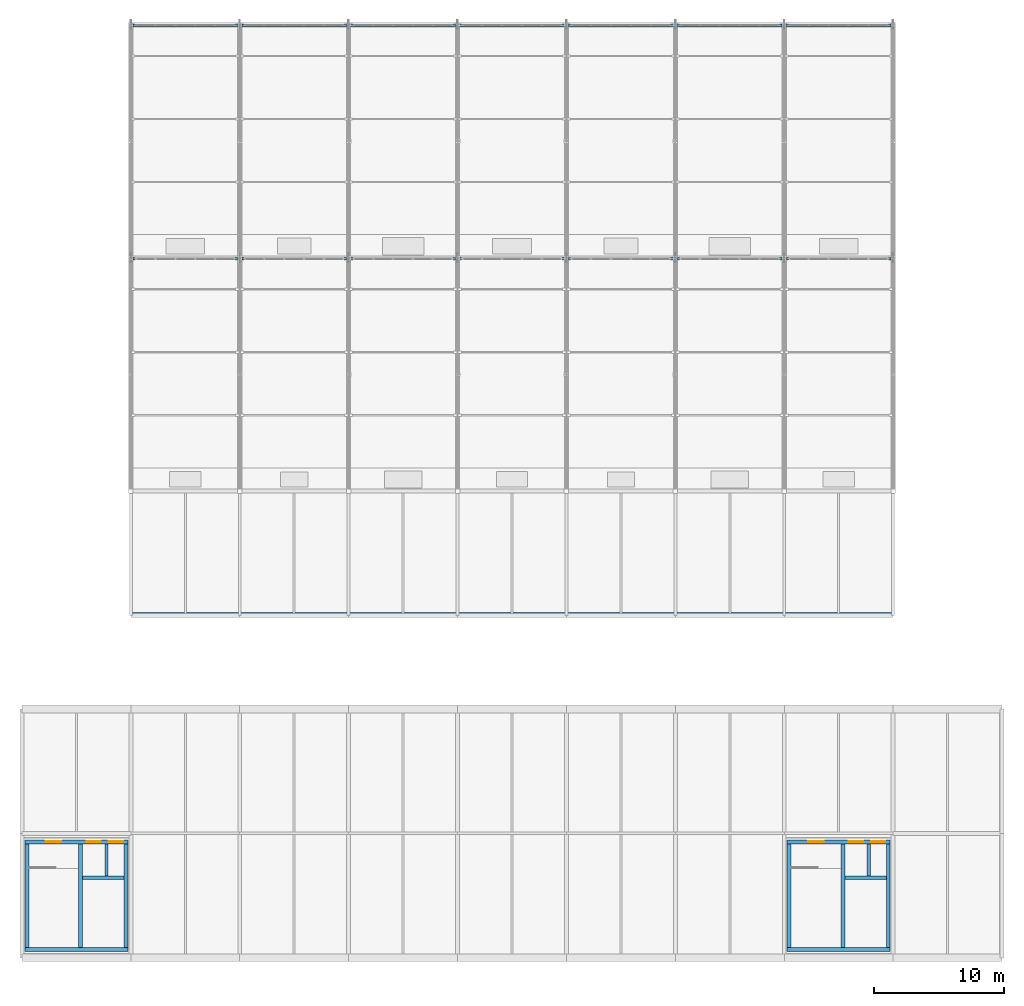
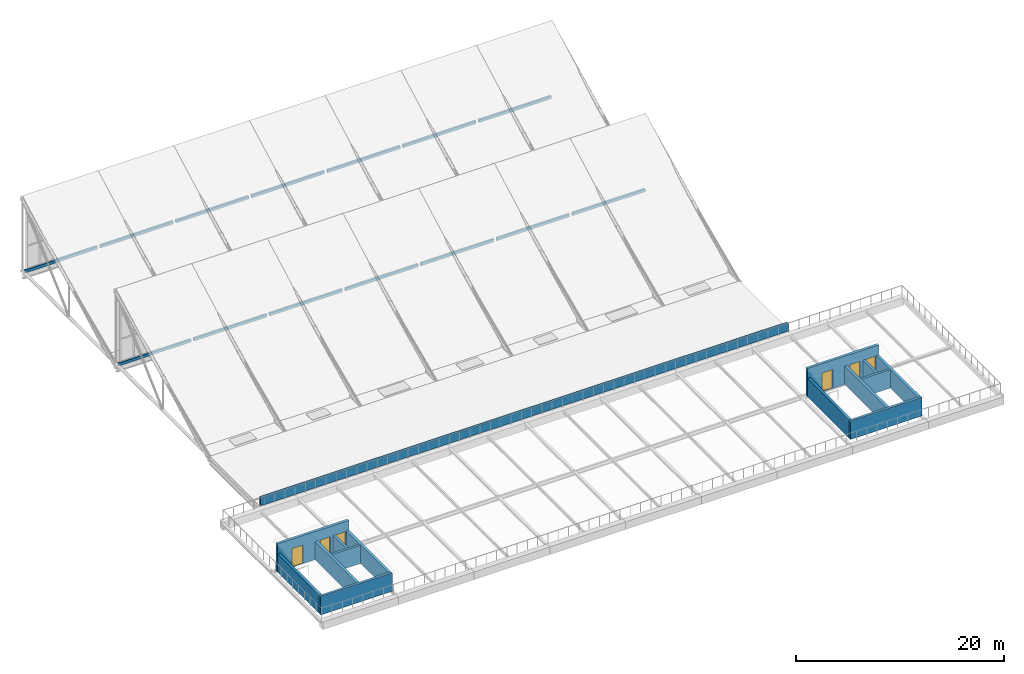
# One storey, part 37 of 38: 29 walls, 6 doors, 6 openings.
"""IFC4 building model written with IfcOpenShell, lengths in metres."""

from ifc_helpers import new_model, si_unit, direction, frame, frame_2d, origin, place, context, subcontext, project, spatial, rectangle, extrude, material, layer, layer_set, type_object, element, fill, save


model = new_model("IFC4")

# Units and contexts
model_context = context("Model", 3, precision=1e-05, world=origin(), true_north=direction((0.0, 1.0)))
body_context = subcontext(model_context, "Body", "Model", "MODEL_VIEW")
ifc_project = project(units=[si_unit("LENGTHUNIT", "METRE"), si_unit("AREAUNIT", "SQUARE_METRE"), si_unit("VOLUMEUNIT", "CUBIC_METRE"), si_unit("PLANEANGLEUNIT", "RADIAN"), si_unit("MASSUNIT", "GRAM", prefix="KILO")], contexts=[model_context])

# Site, building, storey
site_placement = place(None, origin())
site = spatial("IfcSite", under=ifc_project, at=site_placement, CompositionType="ELEMENT")
building_placement = place(site_placement, origin())
building = spatial("IfcBuilding", under=site, at=building_placement, Name="Veltarok Museum of Natural Sciences", CompositionType="ELEMENT")
storey_placement = place(building_placement, frame((0.0, 0.0, 31.199951171875)))
storey = spatial("IfcBuildingStorey", under=building, at=storey_placement, Name="RF", CompositionType="ELEMENT", Elevation=31.199951171875)

# Walls
ifc_material_1 = material(Name="Precast concrete C40/50", Category="concrete")
ifc_layer_1 = layer(ifc_material_1, 0.239990234375)
ifc_layer_set_1 = layer_set([ifc_layer_1], Name="Precast concrete C40/50")
wall_type_1 = type_object("IfcWallType", Name="Flat Roof Concrete Parapet Wall 240", PredefinedType="PARAPET", material=ifc_layer_set_1)
wall_1_placement = place(storey_placement, frame((40.1201171875, 26.52001953125, -5.800048828125), z_axis=(0.0, 0.0, 1.0), x_axis=(1.0, 0.0, 0.0)))
element("IfcWall", 1, at=wall_1_placement, inside=storey, type_object=wall_type_1, Name="Roof Parapet Wall RF-22", PredefinedType="PARAPET", context=body_context, shape_type="SweptSolid", body=[
    extrude(rectangle(XDim=58.559814453125, YDim=0.239990234375, at=frame_2d((29.27978515625, 0.0))), origin(), (0.0, 0.0, 1.0), 0.9501953125),
])
ifc_material_2 = material(Name="Concrete C40/50", Category="concrete")
ifc_layer_2 = layer(ifc_material_2, 0.25)
ifc_layer_set_2 = layer_set([ifc_layer_2], Name="Concrete C40/50")
wall_type_2 = type_object("IfcWallType", Name="Lift Shaft Concrete Shear Wall 250", PredefinedType="SHEAR", material=ifc_layer_set_2)
wall_2_placement = place(storey_placement, frame((38.114990234375, 6.300048828125, 0.0), z_axis=(0.0, 0.0, 1.0), x_axis=(0.0, 1.0, 0.0)))
element("IfcWall", 2, at=wall_2_placement, inside=storey, type_object=wall_type_2, Name="Lift Shaft Divider Wall C1 RF", PredefinedType="SHEAR", context=body_context, shape_type="SweptSolid", body=[
    extrude(rectangle(XDim=2.5, YDim=0.25, at=frame_2d((1.25, 0.0))), origin(), (0.0, 0.0, 1.0), 2.16015625),
])
wall_3_placement = place(storey_placement, frame((36.27001953125, 6.175048828125, 0.0), z_axis=(0.0, 0.0, 1.0), x_axis=(1.0, 0.0, 0.0)))
element("IfcWall", 3, at=wall_3_placement, inside=storey, type_object=wall_type_2, Name="Lift Shaft Back Wall C1 RF", PredefinedType="SHEAR", context=body_context, shape_type="SweptSolid", body=[
    extrude(rectangle(XDim=3.199951171875, YDim=0.25, at=frame_2d((1.60009765625, 0.0))), origin(), (0.0, 0.0, 1.0), 2.16015625),
])
wall_4_placement = place(storey_placement, frame((96.9150390625, 6.300048828125, 0.0), z_axis=(0.0, 0.0, 1.0), x_axis=(0.0, 1.0, 0.0)))
element("IfcWall", 4, at=wall_4_placement, inside=storey, type_object=wall_type_2, Name="Lift Shaft Divider Wall C2 RF", PredefinedType="SHEAR", context=body_context, shape_type="SweptSolid", body=[
    extrude(rectangle(XDim=2.5, YDim=0.25, at=frame_2d((1.25, 0.0))), origin(), (0.0, 0.0, 1.0), 2.16015625),
])
wall_5_placement = place(storey_placement, frame((95.070068359375, 6.175048828125, 0.0), z_axis=(0.0, 0.0, 1.0), x_axis=(1.0, 0.0, 0.0)))
element("IfcWall", 5, at=wall_5_placement, inside=storey, type_object=wall_type_2, Name="Lift Shaft Back Wall C2 RF", PredefinedType="SHEAR", context=body_context, shape_type="SweptSolid", body=[
    extrude(rectangle(XDim=3.199951171875, YDim=0.25, at=frame_2d((1.60009765625, 0.0))), origin(), (0.0, 0.0, 1.0), 2.16015625),
])
ifc_layer_3 = layer(ifc_material_2, 0.300048828125)
ifc_layer_set_3 = layer_set([ifc_layer_3], Name="Concrete C40/50")
wall_type_3 = type_object("IfcWallType", Name="Protected Core Shear Wall 300", PredefinedType="SHEAR", material=ifc_layer_set_3)
wall_6_placement = place(storey_placement, frame((31.830078125, 0.64990234375, 0.0), z_axis=(0.0, 0.0, 1.0), x_axis=(1.0, 0.0, 0.0)))
element("IfcWall", 6, at=wall_6_placement, inside=storey, type_object=wall_type_3, Name="Core Shear Wall C1 RF S", PredefinedType="SHEAR", context=body_context, shape_type="SweptSolid", body=[
    extrude(rectangle(XDim=7.93994140625, YDim=0.300048828125, at=frame_2d((3.969970703125, 0.0))), origin(), (0.0, 0.0, 1.0), 2.16015625),
])

# Wall, openings, doors
wall_7_placement = place(storey_placement, frame((39.77001953125, 8.949951171875, 0.0), z_axis=(0.0, 0.0, 1.0), x_axis=(-1.0, 0.0, 0.0)))
wall_7 = element("IfcWall", 7, at=wall_7_placement, inside=storey, type_object=wall_type_3, Name="Core Shear Wall C1 RF N", PredefinedType="SHEAR", context=body_context, shape_type="SweptSolid", body=[
    extrude(rectangle(XDim=7.93994140625, YDim=0.300048828125, at=frame_2d((3.969970703125, 0.0))), origin(), (0.0, 0.0, 1.0), 3.300048828125),
])
opening_1_placement = place(wall_7_placement, frame((5.1201171875, 0.0, 0.0)))
opening_1 = element("IfcOpeningElement", 8, at=opening_1_placement, cuts=wall_7, Name="Opening D-RF-01", PredefinedType="OPENING", context=body_context, shape_type="SweptSolid", body=[
    extrude(rectangle(XDim=1.199951171875, YDim=2.199951171875, at=frame_2d((0.60009765625, 1.10009765625))), frame((0.0, 0.16015625, 0.0), z_axis=(0.0, -1.0, 0.0), x_axis=(1.0, 0.0, 0.0)), (0.0, 0.0, 1.0), 0.320068359375),
])
opening_2_placement = place(wall_7_placement, frame((2.090087890625, 0.0, 0.0)))
opening_2 = element("IfcOpeningElement", 9, at=opening_2_placement, cuts=wall_7, Name="Opening LD-RF-LP-01", PredefinedType="OPENING", context=body_context, shape_type="SweptSolid", body=[
    extrude(rectangle(XDim=1.10009765625, YDim=2.10009765625, at=frame_2d((0.550048828125, 1.050048828125))), frame((0.0, 0.16015625, 0.0), z_axis=(0.0, -1.0, 0.0), x_axis=(1.0, 0.0, 0.0)), (0.0, 0.0, 1.0), 0.320068359375),
])
opening_3_placement = place(wall_7_placement, frame((0.364990234375, 0.0, 0.0)))
opening_3 = element("IfcOpeningElement", 10, at=opening_3_placement, cuts=wall_7, Name="Opening LD-RF-FL-01", PredefinedType="OPENING", context=body_context, shape_type="SweptSolid", body=[
    extrude(rectangle(XDim=1.10009765625, YDim=2.10009765625, at=frame_2d((0.550048828125, 1.050048828125))), frame((0.0, 0.16015625, 0.0), z_axis=(0.0, -1.0, 0.0), x_axis=(1.0, 0.0, 0.0)), (0.0, 0.0, 1.0), 0.320068359375),
])
ifc_material_3 = material(Name="Brushed stainless steel", Category="steel")
door_type_1 = type_object("IfcDoorType", Name="Passenger and Firefighting Lift Landing Door 1100x2100", OperationType="SLIDING_TO_LEFT", PredefinedType="DOOR", material=ifc_material_3)
door_1_placement = place(opening_2_placement, origin())
door_1 = element("IfcDoor", 11, at=door_1_placement, inside=storey, type_object=door_type_1, Name="Sliding Lift Landing Door LD-RF-LP-01", OperationType="SLIDING_TO_LEFT", OverallHeight=2.10009765625, OverallWidth=1.10009765625, PredefinedType="DOOR", context=body_context, shape_type="SweptSolid", body=[
    extrude(rectangle(XDim=1.10009765625, YDim=2.10009765625, at=frame_2d((0.550048828125, 1.050048828125))), frame((0.0, 0.02490234375, 0.0), z_axis=(0.0, -1.0, 0.0), x_axis=(1.0, 0.0, 0.0)), (0.0, 0.0, 1.0), 0.050048828125),
])
fill(opening_2, door_1)
door_2_placement = place(opening_3_placement, origin())
door_2 = element("IfcDoor", 12, at=door_2_placement, inside=storey, type_object=door_type_1, Name="Sliding Lift Landing Door LD-RF-FL-01", OperationType="SLIDING_TO_LEFT", OverallHeight=2.10009765625, OverallWidth=1.10009765625, PredefinedType="DOOR", context=body_context, shape_type="SweptSolid", body=[
    extrude(rectangle(XDim=1.10009765625, YDim=2.10009765625, at=frame_2d((0.550048828125, 1.050048828125))), frame((0.0, 0.02490234375, 0.0), z_axis=(0.0, -1.0, 0.0), x_axis=(1.0, 0.0, 0.0)), (0.0, 0.0, 1.0), 0.050048828125),
])
fill(opening_3, door_2)
ifc_material_4 = material(Name="Thermally broken aluminium and glass", Category="aluminium")
door_type_2 = type_object("IfcDoorType", Name="Terrace Single Glazed Door 1200x2200", OperationType="NOTDEFINED", PredefinedType="DOOR", material=ifc_material_4)
door_3_placement = place(opening_1_placement, frame((1.199951171875, 0.0, 0.0), z_axis=(0.0, 0.0, 1.0), x_axis=(-1.0, 0.0, 0.0)))
door_3 = element("IfcDoor", 13, at=door_3_placement, inside=storey, type_object=door_type_2, Name="Sculpture Roof Terrace Door D-RF-01", OperationType="SINGLE_SWING_LEFT", OverallHeight=2.199951171875, OverallWidth=1.199951171875, PredefinedType="DOOR", context=body_context, shape_type="SweptSolid", body=[
    extrude(rectangle(XDim=1.199951171875, YDim=2.199951171875, at=frame_2d((0.60009765625, 1.10009765625))), frame((0.0, 0.02490234375, 0.0), z_axis=(0.0, -1.0, 0.0), x_axis=(1.0, 0.0, 0.0)), (0.0, 0.0, 1.0), 0.050048828125),
])
fill(opening_1, door_3)

# Walls
for number, where, z_axis, x_axis, name in (
    (14, (31.97998046875, 8.800048828125, 0.0), (0.0, 0.0, 1.0), (0.0, -1.0, 0.0), "Core Shear Wall C1 RF W"),
    (15, (39.6201171875, 0.800048828125, 0.0), (0.0, 0.0, 1.0), (0.0, 1.0, 0.0), "Core Shear Wall C1 RF E"),
    (16, (36.1201171875, 0.800048828125, 0.0), (0.0, 0.0, 1.0), (0.0, 1.0, 0.0), "Core Shear Wall C1 RF DIV"),
):
    element("IfcWall", number, at=place(storey_placement, frame(where, z_axis=z_axis, x_axis=x_axis)), inside=storey, type_object=wall_type_3, Name=name, PredefinedType="SHEAR", context=body_context, shape_type="SweptSolid", body=[
        extrude(rectangle(XDim=8.0, YDim=0.300048828125, at=frame_2d((4.0, 0.0))), origin(), (0.0, 0.0, 1.0), 2.16015625),
    ])
wall_8_placement = place(storey_placement, frame((90.6298828125, 0.64990234375, 0.0), z_axis=(0.0, 0.0, 1.0), x_axis=(1.0, 0.0, 0.0)))
element("IfcWall", 17, at=wall_8_placement, inside=storey, type_object=wall_type_3, Name="Core Shear Wall C2 RF S", PredefinedType="SHEAR", context=body_context, shape_type="SweptSolid", body=[
    extrude(rectangle(XDim=7.940185546875, YDim=0.300048828125, at=frame_2d((3.97021484375, 0.0))), origin(), (0.0, 0.0, 1.0), 2.16015625),
])

# Wall, openings, doors
wall_9_placement = place(storey_placement, frame((98.570068359375, 8.949951171875, 0.0), z_axis=(0.0, 0.0, 1.0), x_axis=(-1.0, 0.0, 0.0)))
wall_9 = element("IfcWall", 18, at=wall_9_placement, inside=storey, type_object=wall_type_3, Name="Core Shear Wall C2 RF N", PredefinedType="SHEAR", context=body_context, shape_type="SweptSolid", body=[
    extrude(rectangle(XDim=7.940185546875, YDim=0.300048828125, at=frame_2d((3.97021484375, 0.0))), origin(), (0.0, 0.0, 1.0), 3.300048828125),
])
opening_4_placement = place(wall_9_placement, frame((5.1201171875, 0.0, 0.0)))
opening_4 = element("IfcOpeningElement", 19, at=opening_4_placement, cuts=wall_9, Name="Opening D-RF-02", PredefinedType="OPENING", context=body_context, shape_type="SweptSolid", body=[
    extrude(rectangle(XDim=1.199951171875, YDim=2.199951171875, at=frame_2d((0.60009765625, 1.10009765625))), frame((0.0, 0.16015625, 0.0), z_axis=(0.0, -1.0, 0.0), x_axis=(1.0, 0.0, 0.0)), (0.0, 0.0, 1.0), 0.320068359375),
])
opening_5_placement = place(wall_9_placement, frame((2.090087890625, 0.0, 0.0)))
opening_5 = element("IfcOpeningElement", 20, at=opening_5_placement, cuts=wall_9, Name="Opening LD-RF-LP-02", PredefinedType="OPENING", context=body_context, shape_type="SweptSolid", body=[
    extrude(rectangle(XDim=1.10009765625, YDim=2.10009765625, at=frame_2d((0.550048828125, 1.050048828125))), frame((0.0, 0.16015625, 0.0), z_axis=(0.0, -1.0, 0.0), x_axis=(1.0, 0.0, 0.0)), (0.0, 0.0, 1.0), 0.320068359375),
])
opening_6_placement = place(wall_9_placement, frame((0.364990234375, 0.0, 0.0)))
opening_6 = element("IfcOpeningElement", 21, at=opening_6_placement, cuts=wall_9, Name="Opening LD-RF-FL-02", PredefinedType="OPENING", context=body_context, shape_type="SweptSolid", body=[
    extrude(rectangle(XDim=1.10009765625, YDim=2.10009765625, at=frame_2d((0.550048828125, 1.050048828125))), frame((0.0, 0.16015625, 0.0), z_axis=(0.0, -1.0, 0.0), x_axis=(1.0, 0.0, 0.0)), (0.0, 0.0, 1.0), 0.320068359375),
])
door_4_placement = place(opening_5_placement, origin())
door_4 = element("IfcDoor", 22, at=door_4_placement, inside=storey, type_object=door_type_1, Name="Sliding Lift Landing Door LD-RF-LP-02", OperationType="SLIDING_TO_LEFT", OverallHeight=2.10009765625, OverallWidth=1.10009765625, PredefinedType="DOOR", context=body_context, shape_type="SweptSolid", body=[
    extrude(rectangle(XDim=1.10009765625, YDim=2.10009765625, at=frame_2d((0.550048828125, 1.050048828125))), frame((0.0, 0.02490234375, 0.0), z_axis=(0.0, -1.0, 0.0), x_axis=(1.0, 0.0, 0.0)), (0.0, 0.0, 1.0), 0.050048828125),
])
fill(opening_5, door_4)
door_5_placement = place(opening_6_placement, origin())
door_5 = element("IfcDoor", 23, at=door_5_placement, inside=storey, type_object=door_type_1, Name="Sliding Lift Landing Door LD-RF-FL-02", OperationType="SLIDING_TO_LEFT", OverallHeight=2.10009765625, OverallWidth=1.10009765625, PredefinedType="DOOR", context=body_context, shape_type="SweptSolid", body=[
    extrude(rectangle(XDim=1.10009765625, YDim=2.10009765625, at=frame_2d((0.550048828125, 1.050048828125))), frame((0.0, 0.02490234375, 0.0), z_axis=(0.0, -1.0, 0.0), x_axis=(1.0, 0.0, 0.0)), (0.0, 0.0, 1.0), 0.050048828125),
])
fill(opening_6, door_5)
door_6_placement = place(opening_4_placement, frame((1.199951171875, 0.0, 0.0), z_axis=(0.0, 0.0, 1.0), x_axis=(-1.0, 0.0, 0.0)))
door_6 = element("IfcDoor", 24, at=door_6_placement, inside=storey, type_object=door_type_2, Name="Sculpture Roof Terrace Door D-RF-02", OperationType="SINGLE_SWING_LEFT", OverallHeight=2.199951171875, OverallWidth=1.199951171875, PredefinedType="DOOR", context=body_context, shape_type="SweptSolid", body=[
    extrude(rectangle(XDim=1.199951171875, YDim=2.199951171875, at=frame_2d((0.60009765625, 1.10009765625))), frame((0.0, 0.02490234375, 0.0), z_axis=(0.0, -1.0, 0.0), x_axis=(1.0, 0.0, 0.0)), (0.0, 0.0, 1.0), 0.050048828125),
])
fill(opening_4, door_6)

# Walls
for number, where, z_axis, x_axis, name in (
    (25, (90.780029296875, 8.800048828125, 0.0), (0.0, 0.0, 1.0), (0.0, -1.0, 0.0), "Core Shear Wall C2 RF W"),
    (26, (98.419921875, 0.800048828125, 0.0), (0.0, 0.0, 1.0), (0.0, 1.0, 0.0), "Core Shear Wall C2 RF E"),
    (27, (94.919921875, 0.800048828125, 0.0), (0.0, 0.0, 1.0), (0.0, 1.0, 0.0), "Core Shear Wall C2 RF DIV"),
):
    element("IfcWall", number, at=place(storey_placement, frame(where, z_axis=z_axis, x_axis=x_axis)), inside=storey, type_object=wall_type_3, Name=name, PredefinedType="SHEAR", context=body_context, shape_type="SweptSolid", body=[
        extrude(rectangle(XDim=8.0, YDim=0.300048828125, at=frame_2d((4.0, 0.0))), origin(), (0.0, 0.0, 1.0), 2.16015625),
    ])
ifc_layer_4 = layer(ifc_material_1, 0.219970703125)
ifc_layer_set_4 = layer_set([ifc_layer_4], Name="Precast concrete C40/50")
wall_type_4 = type_object("IfcWallType", Name="Terrace Upstand Curb Wall 220", PredefinedType="PARAPET", material=ifc_layer_set_4)
for number, where, z_axis, x_axis, name in (
    (28, (48.239990234375, 53.919921875, -6.044921875), (0.0, 0.0, 1.0), (-1.0, 0.0, 0.0), "Sawtooth Clerestory Curb CW-SAW-0072"),
    (29, (48.239990234375, 71.919921875, -6.044921875), (0.0, 0.0, 1.0), (-1.0, 0.0, 0.0), "Sawtooth Clerestory Curb CW-SAW-0073"),
):
    element("IfcWall", number, at=place(storey_placement, frame(where, z_axis=z_axis, x_axis=x_axis)), inside=storey, type_object=wall_type_4, Name=name, PredefinedType="PARAPET", context=body_context, shape_type="SweptSolid", body=[
        extrude(rectangle(XDim=8.080078125, YDim=0.219970703125, at=frame_2d((4.0400390625, 0.0))), origin(), (0.0, 0.0, 1.0), 0.328857421875),
    ])
for number, where, z_axis, x_axis, name in (
    (30, (56.639892578125, 53.919921875, -6.044921875), (0.0, 0.0, 1.0), (-1.0, 0.0, 0.0), "Sawtooth Clerestory Curb CW-SAW-0074"),
    (31, (56.639892578125, 71.919921875, -6.044921875), (0.0, 0.0, 1.0), (-1.0, 0.0, 0.0), "Sawtooth Clerestory Curb CW-SAW-0075"),
):
    element("IfcWall", number, at=place(storey_placement, frame(where, z_axis=z_axis, x_axis=x_axis)), inside=storey, type_object=wall_type_4, Name=name, PredefinedType="PARAPET", context=body_context, shape_type="SweptSolid", body=[
        extrude(rectangle(XDim=8.079833984375, YDim=0.219970703125, at=frame_2d((4.0400390625, 0.0))), origin(), (0.0, 0.0, 1.0), 0.328857421875),
    ])
for number, where, z_axis, x_axis, name in (
    (32, (65.0400390625, 53.919921875, -6.044921875), (0.0, 0.0, 1.0), (-1.0, 0.0, 0.0), "Sawtooth Clerestory Curb CW-SAW-0076"),
    (33, (65.0400390625, 71.919921875, -6.044921875), (0.0, 0.0, 1.0), (-1.0, 0.0, 0.0), "Sawtooth Clerestory Curb CW-SAW-0077"),
):
    element("IfcWall", number, at=place(storey_placement, frame(where, z_axis=z_axis, x_axis=x_axis)), inside=storey, type_object=wall_type_4, Name=name, PredefinedType="PARAPET", context=body_context, shape_type="SweptSolid", body=[
        extrude(rectangle(XDim=8.080078125, YDim=0.219970703125, at=frame_2d((4.0400390625, 0.0))), origin(), (0.0, 0.0, 1.0), 0.328857421875),
    ])
for number, where, z_axis, x_axis, name in (
    (34, (73.43994140625, 53.919921875, -6.044921875), (0.0, 0.0, 1.0), (-1.0, 0.0, 0.0), "Sawtooth Clerestory Curb CW-SAW-0078"),
    (35, (73.43994140625, 71.919921875, -6.044921875), (0.0, 0.0, 1.0), (-1.0, 0.0, 0.0), "Sawtooth Clerestory Curb CW-SAW-0079"),
):
    element("IfcWall", number, at=place(storey_placement, frame(where, z_axis=z_axis, x_axis=x_axis)), inside=storey, type_object=wall_type_4, Name=name, PredefinedType="PARAPET", context=body_context, shape_type="SweptSolid", body=[
        extrude(rectangle(XDim=8.079833984375, YDim=0.219970703125, at=frame_2d((4.0400390625, 0.0))), origin(), (0.0, 0.0, 1.0), 0.328857421875),
    ])
for number, where, z_axis, x_axis, name in (
    (36, (81.840087890625, 53.919921875, -6.044921875), (0.0, 0.0, 1.0), (-1.0, 0.0, 0.0), "Sawtooth Clerestory Curb CW-SAW-0080"),
    (37, (81.840087890625, 71.919921875, -6.044921875), (0.0, 0.0, 1.0), (-1.0, 0.0, 0.0), "Sawtooth Clerestory Curb CW-SAW-0081"),
    (38, (90.239990234375, 53.919921875, -6.044921875), (0.0, 0.0, 1.0), (-1.0, 0.0, 0.0), "Sawtooth Clerestory Curb CW-SAW-0082"),
    (39, (90.239990234375, 71.919921875, -6.044921875), (0.0, 0.0, 1.0), (-1.0, 0.0, 0.0), "Sawtooth Clerestory Curb CW-SAW-0083"),
):
    element("IfcWall", number, at=place(storey_placement, frame(where, z_axis=z_axis, x_axis=x_axis)), inside=storey, type_object=wall_type_4, Name=name, PredefinedType="PARAPET", context=body_context, shape_type="SweptSolid", body=[
        extrude(rectangle(XDim=8.080078125, YDim=0.219970703125, at=frame_2d((4.0400390625, 0.0))), origin(), (0.0, 0.0, 1.0), 0.328857421875),
    ])
for number, where, z_axis, x_axis, name in (
    (40, (98.639892578125, 53.919921875, -6.044921875), (0.0, 0.0, 1.0), (-1.0, 0.0, 0.0), "Sawtooth Clerestory Curb CW-SAW-0084"),
    (41, (98.639892578125, 71.919921875, -6.044921875), (0.0, 0.0, 1.0), (-1.0, 0.0, 0.0), "Sawtooth Clerestory Curb CW-SAW-0085"),
):
    element("IfcWall", number, at=place(storey_placement, frame(where, z_axis=z_axis, x_axis=x_axis)), inside=storey, type_object=wall_type_4, Name=name, PredefinedType="PARAPET", context=body_context, shape_type="SweptSolid", body=[
        extrude(rectangle(XDim=8.079833984375, YDim=0.219970703125, at=frame_2d((4.0400390625, 0.0))), origin(), (0.0, 0.0, 1.0), 0.328857421875),
    ])

save(model, "model.ifc")
